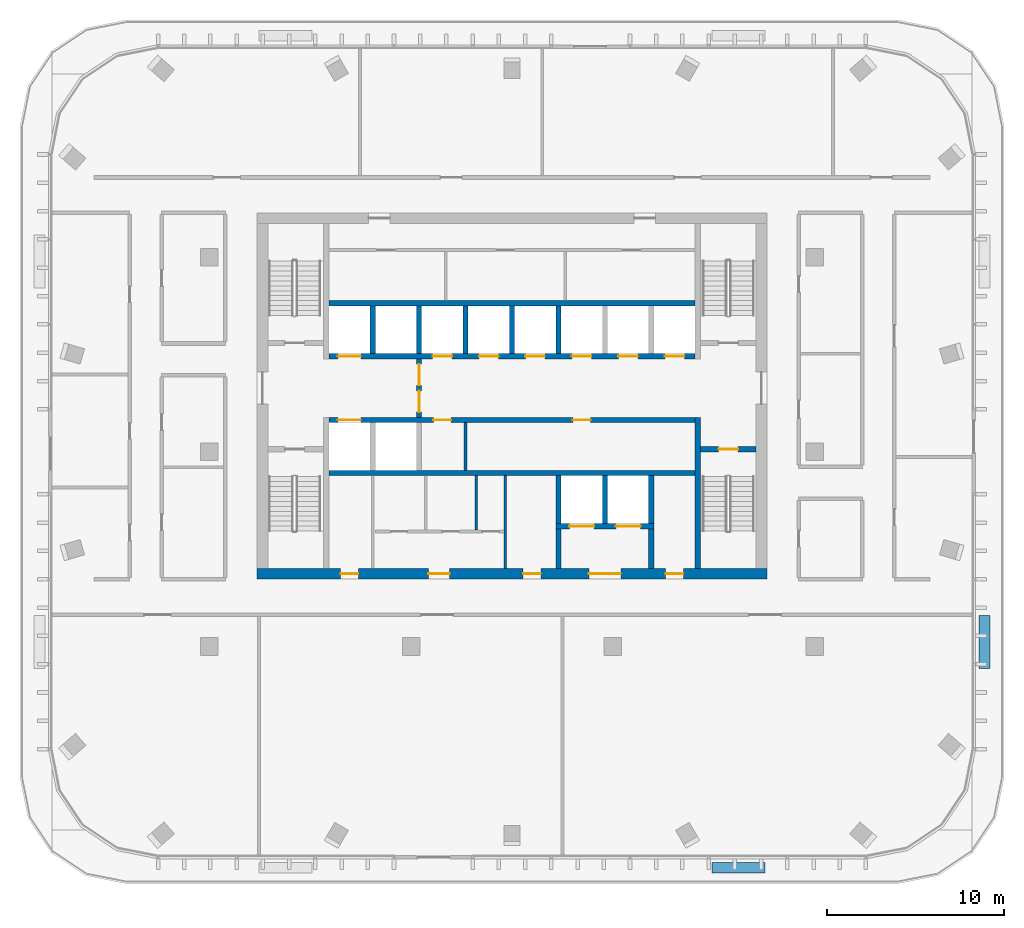
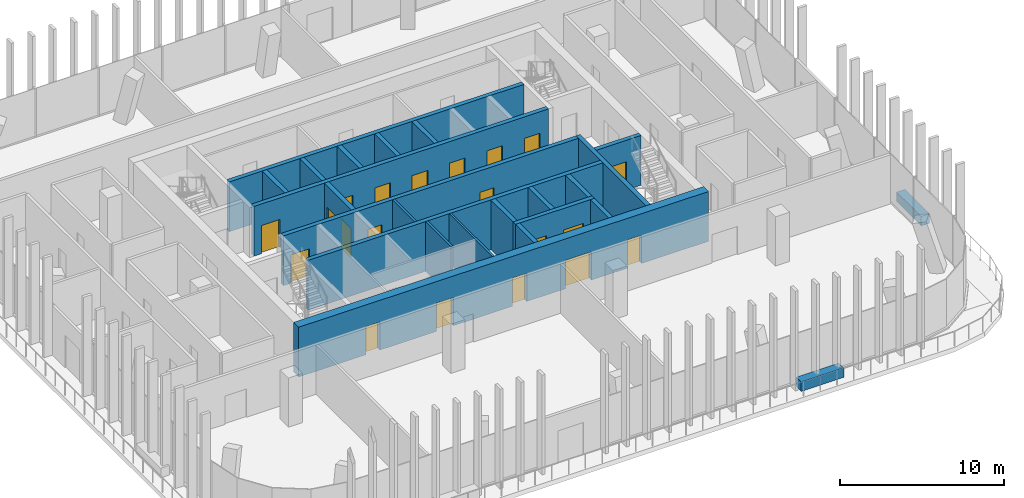
# One storey, part 8 of 15: 24 walls, 20 doors, 20 openings.
"""IFC4 building model written with IfcOpenShell, lengths in metres."""

from ifc_helpers import new_model, si_unit, direction, frame, frame_2d, origin, place, context, subcontext, project, spatial, rectangle, extrude, material, layer, layer_set, type_object, element, fill, save


model = new_model("IFC4")

# Units and contexts
model_context = context("Model", 3, precision=1e-05, world=origin(), true_north=direction((0.0, 1.0)))
body_context = subcontext(model_context, "Body", "Model", "MODEL_VIEW")
ifc_project = project(units=[si_unit("LENGTHUNIT", "METRE"), si_unit("AREAUNIT", "SQUARE_METRE"), si_unit("VOLUMEUNIT", "CUBIC_METRE"), si_unit("PLANEANGLEUNIT", "RADIAN"), si_unit("MASSUNIT", "GRAM", prefix="KILO")], contexts=[model_context])

# Site, building, storey
site_placement = place(None, origin())
site = spatial("IfcSite", under=ifc_project, at=site_placement, CompositionType="ELEMENT")
building_placement = place(site_placement, origin())
building = spatial("IfcBuilding", under=site, at=building_placement, Name="Mopane Tessera Tower", CompositionType="ELEMENT")
storey_placement = place(building_placement, frame((0.0, 0.0, 329.39990234375)))
storey = spatial("IfcBuildingStorey", under=building, at=storey_placement, Name="L72", CompositionType="ELEMENT", Elevation=329.39990234375)

# Walls
ifc_material_1 = material(Name="Fire-rated gypsum board partition")
ifc_layer_1 = layer(ifc_material_1, 0.14990234375)
ifc_layer_set_1 = layer_set([ifc_layer_1], Name="Fire-rated gypsum board partition")
wall_type_1 = type_object("IfcWallType", Name="Core room partition 150 mm", PredefinedType="PARTITIONING", material=ifc_layer_set_1)
wall_1_placement = place(storey_placement, frame((-2.02490234375, -4.425048828125, 0.0), z_axis=(0.0, 0.0, 1.0), x_axis=(0.0, 1.0, 0.0)))
element("IfcWall", 1, at=wall_1_placement, inside=storey, type_object=wall_type_1, Name="L72 WC partition", PredefinedType="PARTITIONING", context=body_context, shape_type="SweptSolid", body=[
    extrude(rectangle(XDim=3.074951171875, YDim=0.14990234375, at=frame_2d((1.53759765625, 0.0))), origin(), (0.0, 0.0, 1.0), 3.7001953125),
])
wall_2_placement = place(storey_placement, frame((-0.375, -6.60009765625, 0.0), z_axis=(0.0, 0.0, 1.0), x_axis=(0.0, 1.0, 0.0)))
element("IfcWall", 2, at=wall_2_placement, inside=storey, type_object=wall_type_1, Name="L72 Room partition", PredefinedType="PARTITIONING", context=body_context, shape_type="SweptSolid", body=[
    extrude(rectangle(XDim=5.25, YDim=0.14990234375, at=frame_2d((2.625, 0.0))), origin(), (0.0, 0.0, 1.0), 3.7001953125),
])
wall_3_placement = place(storey_placement, frame((-2.625, -1.050048828125, 0.0), z_axis=(0.0, 0.0, 1.0), x_axis=(0.0, 1.0, 0.0)))
element("IfcWall", 3, at=wall_3_placement, inside=storey, type_object=wall_type_1, Name="L72 Room partition", PredefinedType="PARTITIONING", context=body_context, shape_type="SweptSolid", body=[
    extrude(rectangle(XDim=2.699951171875, YDim=0.14990234375, at=frame_2d((1.35009765625, 0.0))), origin(), (0.0, 0.0, 1.0), 3.7001953125),
])

# Wall, openings, doors
ifc_material_2 = material(Name="Concrete C70/85", Category="concrete")
ifc_layer_2 = layer(ifc_material_2, 0.60009765625)
ifc_layer_set_2 = layer_set([ifc_layer_2], Name="Concrete C70/85")
wall_type_2 = type_object("IfcWallType", Name="Core shear wall 600 mm", PredefinedType="SHEAR", material=ifc_layer_set_2)
wall_4_placement = place(storey_placement, frame((-14.39990234375, -6.89990234375, 0.0), z_axis=(0.0, 0.0, 1.0), x_axis=(1.0, 0.0, 0.0)))
wall_4 = element("IfcWall", 4, at=wall_4_placement, inside=storey, type_object=wall_type_2, Name="L72 Core wall south", PredefinedType="SHEAR", context=body_context, shape_type="SweptSolid", body=[
    extrude(rectangle(XDim=28.7998046875, YDim=0.60009765625, at=frame_2d((14.39990234375, 0.0))), origin(), (0.0, 0.0, 1.0), 3.7001953125),
])
opening_1_placement = place(wall_4_placement, frame((4.71240234375, 0.0, 0.0)))
opening_1 = element("IfcOpeningElement", 5, at=opening_1_placement, cuts=wall_4, Name="Opening RD1", PredefinedType="OPENING", context=body_context, shape_type="SweptSolid", body=[
    extrude(rectangle(XDim=1.0, YDim=2.10009765625, at=frame_2d((0.5, 1.050048828125))), frame((0.0, 0.31201171875, 0.0), z_axis=(0.0, -1.0, 0.0), x_axis=(1.0, 0.0, 0.0)), (0.0, 0.0, 1.0), 0.6240234375),
])
opening_2_placement = place(wall_4_placement, frame((9.675048828125, 0.0, 0.0)))
opening_2 = element("IfcOpeningElement", 6, at=opening_2_placement, cuts=wall_4, Name="Opening WD3", PredefinedType="OPENING", context=body_context, shape_type="SweptSolid", body=[
    extrude(rectangle(XDim=1.199951171875, YDim=2.10009765625, at=frame_2d((0.60009765625, 1.050048828125))), frame((0.0, 0.31201171875, 0.0), z_axis=(0.0, -1.0, 0.0), x_axis=(1.0, 0.0, 0.0)), (0.0, 0.0, 1.0), 0.6240234375),
])
opening_3_placement = place(wall_4_placement, frame((15.02490234375, 0.0, 0.0)))
opening_3 = element("IfcOpeningElement", 7, at=opening_3_placement, cuts=wall_4, Name="Opening RD1", PredefinedType="OPENING", context=body_context, shape_type="SweptSolid", body=[
    extrude(rectangle(XDim=1.0, YDim=2.10009765625, at=frame_2d((0.5, 1.050048828125))), frame((0.0, 0.31201171875, 0.0), z_axis=(0.0, -1.0, 0.0), x_axis=(1.0, 0.0, 0.0)), (0.0, 0.0, 1.0), 0.6240234375),
])
opening_4_placement = place(wall_4_placement, frame((18.75, 0.0, 0.0)))
opening_4 = element("IfcOpeningElement", 8, at=opening_4_placement, cuts=wall_4, Name="Opening SD2", PredefinedType="OPENING", context=body_context, shape_type="SweptSolid", body=[
    extrude(rectangle(XDim=1.800048828125, YDim=2.10009765625, at=frame_2d((0.89990234375, 1.050048828125))), frame((0.0, 0.31201171875, 0.0), z_axis=(0.0, -1.0, 0.0), x_axis=(1.0, 0.0, 0.0)), (0.0, 0.0, 1.0), 0.6240234375),
])
opening_5_placement = place(wall_4_placement, frame((23.08740234375, 0.0, 0.0)))
opening_5 = element("IfcOpeningElement", 9, at=opening_5_placement, cuts=wall_4, Name="Opening RD1", PredefinedType="OPENING", context=body_context, shape_type="SweptSolid", body=[
    extrude(rectangle(XDim=1.0, YDim=2.10009765625, at=frame_2d((0.5, 1.050048828125))), frame((0.0, 0.31201171875, 0.0), z_axis=(0.0, -1.0, 0.0), x_axis=(1.0, 0.0, 0.0)), (0.0, 0.0, 1.0), 0.6240234375),
])
ifc_material_3 = material(Name="Steel fire door", Category="steel")
door_type_1 = type_object("IfcDoorType", Name="Core entrance double door 1800 x 2100", OperationType="DOUBLE_DOOR_SINGLE_SWING", PredefinedType="DOOR", material=ifc_material_3)
door_1_placement = place(opening_4_placement, origin())
door_1 = element("IfcDoor", 10, at=door_1_placement, inside=storey, type_object=door_type_1, Name="L72 Service lobby door", OperationType="DOUBLE_DOOR_SINGLE_SWING", OverallHeight=2.10009765625, OverallWidth=1.800048828125, PredefinedType="DOOR", context=body_context, shape_type="SweptSolid", body=[
    extrude(rectangle(XDim=1.800048828125, YDim=2.10009765625, at=frame_2d((0.89990234375, 1.050048828125))), frame((0.0, 0.02490234375, 0.0), z_axis=(0.0, -1.0, 0.0), x_axis=(1.0, 0.0, 0.0)), (0.0, 0.0, 1.0), 0.050048828125),
])
fill(opening_4, door_1)
ifc_material_4 = material(Name="Timber door", Category="wood")
door_type_2 = type_object("IfcDoorType", Name="Core room door 1000 x 2100", OperationType="SINGLE_SWING_LEFT", PredefinedType="DOOR", material=ifc_material_4)
door_2_placement = place(opening_1_placement, origin())
door_2 = element("IfcDoor", 11, at=door_2_placement, inside=storey, type_object=door_type_2, Name="L72 Room door", OperationType="SINGLE_SWING_LEFT", OverallHeight=2.10009765625, OverallWidth=1.0, PredefinedType="DOOR", context=body_context, shape_type="SweptSolid", body=[
    extrude(rectangle(XDim=1.0, YDim=2.10009765625, at=frame_2d((0.5, 1.050048828125))), frame((0.0, 0.02490234375, 0.0), z_axis=(0.0, -1.0, 0.0), x_axis=(1.0, 0.0, 0.0)), (0.0, 0.0, 1.0), 0.050048828125),
])
fill(opening_1, door_2)
door_3_placement = place(opening_3_placement, origin())
door_3 = element("IfcDoor", 12, at=door_3_placement, inside=storey, type_object=door_type_2, Name="L72 Room door", OperationType="SINGLE_SWING_LEFT", OverallHeight=2.10009765625, OverallWidth=1.0, PredefinedType="DOOR", context=body_context, shape_type="SweptSolid", body=[
    extrude(rectangle(XDim=1.0, YDim=2.10009765625, at=frame_2d((0.5, 1.050048828125))), frame((0.0, 0.02490234375, 0.0), z_axis=(0.0, -1.0, 0.0), x_axis=(1.0, 0.0, 0.0)), (0.0, 0.0, 1.0), 0.050048828125),
])
fill(opening_3, door_3)
door_4_placement = place(opening_5_placement, origin())
door_4 = element("IfcDoor", 13, at=door_4_placement, inside=storey, type_object=door_type_2, Name="L72 Room door", OperationType="SINGLE_SWING_LEFT", OverallHeight=2.10009765625, OverallWidth=1.0, PredefinedType="DOOR", context=body_context, shape_type="SweptSolid", body=[
    extrude(rectangle(XDim=1.0, YDim=2.10009765625, at=frame_2d((0.5, 1.050048828125))), frame((0.0, 0.02490234375, 0.0), z_axis=(0.0, -1.0, 0.0), x_axis=(1.0, 0.0, 0.0)), (0.0, 0.0, 1.0), 0.050048828125),
])
fill(opening_5, door_4)
ifc_material_5 = material(Name="Timber door", Category="wood")
door_type_3 = type_object("IfcDoorType", Name="WC lobby door 1200 x 2100", OperationType="SINGLE_SWING_LEFT", PredefinedType="DOOR", material=ifc_material_5)
door_5_placement = place(opening_2_placement, origin())
door_5 = element("IfcDoor", 14, at=door_5_placement, inside=storey, type_object=door_type_3, Name="L72 WC lobby door", OperationType="SINGLE_SWING_LEFT", OverallHeight=2.10009765625, OverallWidth=1.199951171875, PredefinedType="DOOR", context=body_context, shape_type="SweptSolid", body=[
    extrude(rectangle(XDim=1.199951171875, YDim=2.10009765625, at=frame_2d((0.60009765625, 1.050048828125))), frame((0.0, 0.02490234375, 0.0), z_axis=(0.0, -1.0, 0.0), x_axis=(1.0, 0.0, 0.0)), (0.0, 0.0, 1.0), 0.050048828125),
])
fill(opening_2, door_5)

# Wall
ifc_material_6 = material(Name="Concrete C60/75", Category="concrete")
ifc_layer_3 = layer(ifc_material_6, 0.300048828125)
ifc_layer_set_3 = layer_set([ifc_layer_3], Name="Concrete C60/75")
wall_type_3 = type_object("IfcWallType", Name="Core spine wall 300 mm", PredefinedType="SHEAR", material=ifc_layer_set_3)
wall_5_placement = place(storey_placement, frame((10.5, -6.60009765625, 0.0), z_axis=(0.0, 0.0, 1.0), x_axis=(0.0, 1.0, 0.0)))
element("IfcWall", 15, at=wall_5_placement, inside=storey, type_object=wall_type_3, Name="L72 Core spine wall", PredefinedType="SHEAR", context=body_context, shape_type="SweptSolid", body=[
    extrude(rectangle(XDim=8.550048828125, YDim=0.300048828125, at=frame_2d((4.27490234375, 0.0))), origin(), (0.0, 0.0, 1.0), 3.7001953125),
])

# Wall, opening, door
ifc_material_7 = material(Name="Concrete C50/60", Category="concrete")
ifc_layer_4 = layer(ifc_material_7, 0.300048828125)
ifc_layer_set_4 = layer_set([ifc_layer_4], Name="Concrete C50/60")
wall_type_4 = type_object("IfcWallType", Name="Lift and stair shaft wall 300 mm", PredefinedType="SOLIDWALL", material=ifc_layer_set_4)
wall_6_placement = place(storey_placement, frame((10.64990234375, 0.14990234375, 0.0), z_axis=(0.0, 0.0, 1.0), x_axis=(1.0, 0.0, 0.0)))
wall_6 = element("IfcWall", 16, at=wall_6_placement, inside=storey, type_object=wall_type_4, Name="L72 Stair enclosure wall", PredefinedType="SOLIDWALL", context=body_context, shape_type="SweptSolid", body=[
    extrude(rectangle(XDim=3.150146484375, YDim=0.300048828125, at=frame_2d((1.5751953125, 0.0))), origin(), (0.0, 0.0, 1.0), 3.7001953125),
])
opening_6_placement = place(wall_6_placement, frame((1.02490234375, 0.0, 0.0)))
opening_6 = element("IfcOpeningElement", 17, at=opening_6_placement, cuts=wall_6, Name="Opening SD1", PredefinedType="OPENING", context=body_context, shape_type="SweptSolid", body=[
    extrude(rectangle(XDim=1.10009765625, YDim=2.10009765625, at=frame_2d((0.550048828125, 1.050048828125))), frame((0.0, 0.162109375, 0.0), z_axis=(0.0, -1.0, 0.0), x_axis=(1.0, 0.0, 0.0)), (0.0, 0.0, 1.0), 0.323974609375),
])
ifc_material_8 = material(Name="Steel fire door", Category="steel")
door_type_4 = type_object("IfcDoorType", Name="Stair fire door 1100 x 2100", OperationType="SINGLE_SWING_LEFT", PredefinedType="DOOR", material=ifc_material_8)
door_6_placement = place(opening_6_placement, origin())
door_6 = element("IfcDoor", 18, at=door_6_placement, inside=storey, type_object=door_type_4, Name="L72 Stair door ST3", OperationType="SINGLE_SWING_RIGHT", OverallHeight=2.10009765625, OverallWidth=1.10009765625, PredefinedType="DOOR", context=body_context, shape_type="SweptSolid", body=[
    extrude(rectangle(XDim=1.10009765625, YDim=2.10009765625, at=frame_2d((0.550048828125, 1.050048828125))), frame((0.0, 0.02490234375, 0.0), z_axis=(0.0, -1.0, 0.0), x_axis=(1.0, 0.0, 0.0)), (0.0, 0.0, 1.0), 0.050048828125),
])
fill(opening_6, door_6)

# Wall
wall_7_placement = place(storey_placement, frame((-10.35009765625, -1.199951171875, 0.0), z_axis=(0.0, 0.0, 1.0), x_axis=(1.0, 0.0, 0.0)))
element("IfcWall", 19, at=wall_7_placement, inside=storey, type_object=wall_type_4, Name="L72 Lift shaft rear wall", PredefinedType="SOLIDWALL", context=body_context, shape_type="SweptSolid", body=[
    extrude(rectangle(XDim=20.7001953125, YDim=0.300048828125, at=frame_2d((10.35009765625, 0.0))), origin(), (0.0, 0.0, 1.0), 3.7001953125),
])

# Wall, openings, doors
wall_8_placement = place(storey_placement, frame((-10.35009765625, 1.800048828125, 0.0), z_axis=(0.0, 0.0, 1.0), x_axis=(1.0, 0.0, 0.0)))
wall_8 = element("IfcWall", 20, at=wall_8_placement, inside=storey, type_object=wall_type_4, Name="L72 Lift shaft front wall", PredefinedType="SOLIDWALL", context=body_context, shape_type="SweptSolid", body=[
    extrude(rectangle(XDim=20.7001953125, YDim=0.300048828125, at=frame_2d((10.35009765625, 0.0))), origin(), (0.0, 0.0, 1.0), 3.7001953125),
])
opening_7_placement = place(wall_8_placement, frame((0.512451171875, 0.0, 0.0)))
opening_7 = element("IfcOpeningElement", 21, at=opening_7_placement, cuts=wall_8, Name="Opening LD2", PredefinedType="OPENING", context=body_context, shape_type="SweptSolid", body=[
    extrude(rectangle(XDim=1.300048828125, YDim=2.10009765625, at=frame_2d((0.64990234375, 1.050048828125))), frame((0.0, 0.162109375, 0.0), z_axis=(0.0, -1.0, 0.0), x_axis=(1.0, 0.0, 0.0)), (0.0, 0.0, 1.0), 0.323974609375),
])
opening_8_placement = place(wall_8_placement, frame((5.91259765625, 0.0, 0.0)))
opening_8 = element("IfcOpeningElement", 22, at=opening_8_placement, cuts=wall_8, Name="Opening RD1", PredefinedType="OPENING", context=body_context, shape_type="SweptSolid", body=[
    extrude(rectangle(XDim=1.0, YDim=2.10009765625, at=frame_2d((0.5, 1.050048828125))), frame((0.0, 0.162109375, 0.0), z_axis=(0.0, -1.0, 0.0), x_axis=(1.0, 0.0, 0.0)), (0.0, 0.0, 1.0), 0.323974609375),
])
opening_9_placement = place(wall_8_placement, frame((13.78759765625, 0.0, 0.0)))
opening_9 = element("IfcOpeningElement", 23, at=opening_9_placement, cuts=wall_8, Name="Opening RD1", PredefinedType="OPENING", context=body_context, shape_type="SweptSolid", body=[
    extrude(rectangle(XDim=1.0, YDim=2.10009765625, at=frame_2d((0.5, 1.050048828125))), frame((0.0, 0.162109375, 0.0), z_axis=(0.0, -1.0, 0.0), x_axis=(1.0, 0.0, 0.0)), (0.0, 0.0, 1.0), 0.323974609375),
])
door_7_placement = place(opening_8_placement, origin())
door_7 = element("IfcDoor", 24, at=door_7_placement, inside=storey, type_object=door_type_2, Name="L72 Room door", OperationType="SINGLE_SWING_LEFT", OverallHeight=2.10009765625, OverallWidth=1.0, PredefinedType="DOOR", context=body_context, shape_type="SweptSolid", body=[
    extrude(rectangle(XDim=1.0, YDim=2.10009765625, at=frame_2d((0.5, 1.050048828125))), frame((0.0, 0.02490234375, 0.0), z_axis=(0.0, -1.0, 0.0), x_axis=(1.0, 0.0, 0.0)), (0.0, 0.0, 1.0), 0.050048828125),
])
fill(opening_8, door_7)
door_8_placement = place(opening_9_placement, origin())
door_8 = element("IfcDoor", 25, at=door_8_placement, inside=storey, type_object=door_type_2, Name="L72 Room door", OperationType="SINGLE_SWING_LEFT", OverallHeight=2.10009765625, OverallWidth=1.0, PredefinedType="DOOR", context=body_context, shape_type="SweptSolid", body=[
    extrude(rectangle(XDim=1.0, YDim=2.10009765625, at=frame_2d((0.5, 1.050048828125))), frame((0.0, 0.02490234375, 0.0), z_axis=(0.0, -1.0, 0.0), x_axis=(1.0, 0.0, 0.0)), (0.0, 0.0, 1.0), 0.050048828125),
])
fill(opening_9, door_8)
ifc_material_9 = material(Name="Stainless steel sliding door", Category="steel")
door_type_5 = type_object("IfcDoorType", Name="Fire-fighting lift landing door 1300 x 2100", OperationType="DOUBLE_DOOR_SLIDING", PredefinedType="DOOR", material=ifc_material_9)
door_9_placement = place(opening_7_placement, origin())
door_9 = element("IfcDoor", 26, at=door_9_placement, inside=storey, type_object=door_type_5, Name="L72 Lift landing door FF1", OperationType="DOUBLE_DOOR_SLIDING", OverallHeight=2.10009765625, OverallWidth=1.300048828125, PredefinedType="DOOR", context=body_context, shape_type="SweptSolid", body=[
    extrude(rectangle(XDim=1.300048828125, YDim=2.10009765625, at=frame_2d((0.64990234375, 1.050048828125))), frame((0.0, 0.02490234375, 0.0), z_axis=(0.0, -1.0, 0.0), x_axis=(1.0, 0.0, 0.0)), (0.0, 0.0, 1.0), 0.050048828125),
])
fill(opening_7, door_9)

wall_9_placement = place(storey_placement, frame((-10.35009765625, 5.39990234375, 0.0), z_axis=(0.0, 0.0, 1.0), x_axis=(1.0, 0.0, 0.0)))
wall_9 = element("IfcWall", 27, at=wall_9_placement, inside=storey, type_object=wall_type_4, Name="L72 Lift shaft front wall", PredefinedType="SOLIDWALL", context=body_context, shape_type="SweptSolid", body=[
    extrude(rectangle(XDim=20.7001953125, YDim=0.300048828125, at=frame_2d((10.35009765625, 0.0))), origin(), (0.0, 0.0, 1.0), 3.7001953125),
])
opening_10_placement = place(wall_9_placement, frame((0.512451171875, 0.0, 0.0)))
opening_10 = element("IfcOpeningElement", 28, at=opening_10_placement, cuts=wall_9, Name="Opening LD2", PredefinedType="OPENING", context=body_context, shape_type="SweptSolid", body=[
    extrude(rectangle(XDim=1.300048828125, YDim=2.10009765625, at=frame_2d((0.64990234375, 1.050048828125))), frame((0.0, 0.162109375, 0.0), z_axis=(0.0, -1.0, 0.0), x_axis=(1.0, 0.0, 0.0)), (0.0, 0.0, 1.0), 0.323974609375),
])
opening_11_placement = place(wall_9_placement, frame((5.862548828125, 0.0, 0.0)))
opening_11 = element("IfcOpeningElement", 29, at=opening_11_placement, cuts=wall_9, Name="Opening LD", PredefinedType="OPENING", context=body_context, shape_type="SweptSolid", body=[
    extrude(rectangle(XDim=1.10009765625, YDim=2.10009765625, at=frame_2d((0.550048828125, 1.050048828125))), frame((0.0, 0.162109375, 0.0), z_axis=(0.0, -1.0, 0.0), x_axis=(1.0, 0.0, 0.0)), (0.0, 0.0, 1.0), 0.323974609375),
])
opening_12_placement = place(wall_9_placement, frame((8.487548828125, 0.0, 0.0)))
opening_12 = element("IfcOpeningElement", 30, at=opening_12_placement, cuts=wall_9, Name="Opening LD", PredefinedType="OPENING", context=body_context, shape_type="SweptSolid", body=[
    extrude(rectangle(XDim=1.10009765625, YDim=2.10009765625, at=frame_2d((0.550048828125, 1.050048828125))), frame((0.0, 0.162109375, 0.0), z_axis=(0.0, -1.0, 0.0), x_axis=(1.0, 0.0, 0.0)), (0.0, 0.0, 1.0), 0.323974609375),
])
opening_13_placement = place(wall_9_placement, frame((11.112548828125, 0.0, 0.0)))
opening_13 = element("IfcOpeningElement", 31, at=opening_13_placement, cuts=wall_9, Name="Opening LD", PredefinedType="OPENING", context=body_context, shape_type="SweptSolid", body=[
    extrude(rectangle(XDim=1.10009765625, YDim=2.10009765625, at=frame_2d((0.550048828125, 1.050048828125))), frame((0.0, 0.162109375, 0.0), z_axis=(0.0, -1.0, 0.0), x_axis=(1.0, 0.0, 0.0)), (0.0, 0.0, 1.0), 0.323974609375),
])
opening_14_placement = place(wall_9_placement, frame((13.737548828125, 0.0, 0.0)))
opening_14 = element("IfcOpeningElement", 32, at=opening_14_placement, cuts=wall_9, Name="Opening LD", PredefinedType="OPENING", context=body_context, shape_type="SweptSolid", body=[
    extrude(rectangle(XDim=1.10009765625, YDim=2.10009765625, at=frame_2d((0.550048828125, 1.050048828125))), frame((0.0, 0.162109375, 0.0), z_axis=(0.0, -1.0, 0.0), x_axis=(1.0, 0.0, 0.0)), (0.0, 0.0, 1.0), 0.323974609375),
])
opening_15_placement = place(wall_9_placement, frame((16.362548828125, 0.0, 0.0)))
opening_15 = element("IfcOpeningElement", 33, at=opening_15_placement, cuts=wall_9, Name="Opening LD", PredefinedType="OPENING", context=body_context, shape_type="SweptSolid", body=[
    extrude(rectangle(XDim=1.10009765625, YDim=2.10009765625, at=frame_2d((0.550048828125, 1.050048828125))), frame((0.0, 0.162109375, 0.0), z_axis=(0.0, -1.0, 0.0), x_axis=(1.0, 0.0, 0.0)), (0.0, 0.0, 1.0), 0.323974609375),
])
opening_16_placement = place(wall_9_placement, frame((18.987548828125, 0.0, 0.0)))
opening_16 = element("IfcOpeningElement", 34, at=opening_16_placement, cuts=wall_9, Name="Opening LD", PredefinedType="OPENING", context=body_context, shape_type="SweptSolid", body=[
    extrude(rectangle(XDim=1.10009765625, YDim=2.10009765625, at=frame_2d((0.550048828125, 1.050048828125))), frame((0.0, 0.162109375, 0.0), z_axis=(0.0, -1.0, 0.0), x_axis=(1.0, 0.0, 0.0)), (0.0, 0.0, 1.0), 0.323974609375),
])
door_10_placement = place(opening_10_placement, origin())
door_10 = element("IfcDoor", 35, at=door_10_placement, inside=storey, type_object=door_type_5, Name="L72 Lift landing door FF2", OperationType="DOUBLE_DOOR_SLIDING", OverallHeight=2.10009765625, OverallWidth=1.300048828125, PredefinedType="DOOR", context=body_context, shape_type="SweptSolid", body=[
    extrude(rectangle(XDim=1.300048828125, YDim=2.10009765625, at=frame_2d((0.64990234375, 1.050048828125))), frame((0.0, 0.02490234375, 0.0), z_axis=(0.0, -1.0, 0.0), x_axis=(1.0, 0.0, 0.0)), (0.0, 0.0, 1.0), 0.050048828125),
])
fill(opening_10, door_10)
ifc_material_10 = material(Name="Stainless steel sliding door", Category="steel")
door_type_6 = type_object("IfcDoorType", Name="Lift landing door 1100 x 2100", OperationType="DOUBLE_DOOR_SLIDING", PredefinedType="DOOR", material=ifc_material_10)
door_11_placement = place(opening_11_placement, origin())
door_11 = element("IfcDoor", 36, at=door_11_placement, inside=storey, type_object=door_type_6, Name="L72 Lift landing door HR1", OperationType="DOUBLE_DOOR_SLIDING", OverallHeight=2.10009765625, OverallWidth=1.10009765625, PredefinedType="DOOR", context=body_context, shape_type="SweptSolid", body=[
    extrude(rectangle(XDim=1.10009765625, YDim=2.10009765625, at=frame_2d((0.550048828125, 1.050048828125))), frame((0.0, 0.02490234375, 0.0), z_axis=(0.0, -1.0, 0.0), x_axis=(1.0, 0.0, 0.0)), (0.0, 0.0, 1.0), 0.050048828125),
])
fill(opening_11, door_11)
door_12_placement = place(opening_12_placement, origin())
door_12 = element("IfcDoor", 37, at=door_12_placement, inside=storey, type_object=door_type_6, Name="L72 Lift landing door HR2", OperationType="DOUBLE_DOOR_SLIDING", OverallHeight=2.10009765625, OverallWidth=1.10009765625, PredefinedType="DOOR", context=body_context, shape_type="SweptSolid", body=[
    extrude(rectangle(XDim=1.10009765625, YDim=2.10009765625, at=frame_2d((0.550048828125, 1.050048828125))), frame((0.0, 0.02490234375, 0.0), z_axis=(0.0, -1.0, 0.0), x_axis=(1.0, 0.0, 0.0)), (0.0, 0.0, 1.0), 0.050048828125),
])
fill(opening_12, door_12)
door_13_placement = place(opening_13_placement, origin())
door_13 = element("IfcDoor", 38, at=door_13_placement, inside=storey, type_object=door_type_6, Name="L72 Lift landing door HR3", OperationType="DOUBLE_DOOR_SLIDING", OverallHeight=2.10009765625, OverallWidth=1.10009765625, PredefinedType="DOOR", context=body_context, shape_type="SweptSolid", body=[
    extrude(rectangle(XDim=1.10009765625, YDim=2.10009765625, at=frame_2d((0.550048828125, 1.050048828125))), frame((0.0, 0.02490234375, 0.0), z_axis=(0.0, -1.0, 0.0), x_axis=(1.0, 0.0, 0.0)), (0.0, 0.0, 1.0), 0.050048828125),
])
fill(opening_13, door_13)
door_14_placement = place(opening_14_placement, origin())
door_14 = element("IfcDoor", 39, at=door_14_placement, inside=storey, type_object=door_type_6, Name="L72 Lift landing door HR4", OperationType="DOUBLE_DOOR_SLIDING", OverallHeight=2.10009765625, OverallWidth=1.10009765625, PredefinedType="DOOR", context=body_context, shape_type="SweptSolid", body=[
    extrude(rectangle(XDim=1.10009765625, YDim=2.10009765625, at=frame_2d((0.550048828125, 1.050048828125))), frame((0.0, 0.02490234375, 0.0), z_axis=(0.0, -1.0, 0.0), x_axis=(1.0, 0.0, 0.0)), (0.0, 0.0, 1.0), 0.050048828125),
])
fill(opening_14, door_14)
door_15_placement = place(opening_15_placement, origin())
door_15 = element("IfcDoor", 40, at=door_15_placement, inside=storey, type_object=door_type_6, Name="L72 Lift landing door HR5", OperationType="DOUBLE_DOOR_SLIDING", OverallHeight=2.10009765625, OverallWidth=1.10009765625, PredefinedType="DOOR", context=body_context, shape_type="SweptSolid", body=[
    extrude(rectangle(XDim=1.10009765625, YDim=2.10009765625, at=frame_2d((0.550048828125, 1.050048828125))), frame((0.0, 0.02490234375, 0.0), z_axis=(0.0, -1.0, 0.0), x_axis=(1.0, 0.0, 0.0)), (0.0, 0.0, 1.0), 0.050048828125),
])
fill(opening_15, door_15)
door_16_placement = place(opening_16_placement, origin())
door_16 = element("IfcDoor", 41, at=door_16_placement, inside=storey, type_object=door_type_6, Name="L72 Lift landing door HR6", OperationType="DOUBLE_DOOR_SLIDING", OverallHeight=2.10009765625, OverallWidth=1.10009765625, PredefinedType="DOOR", context=body_context, shape_type="SweptSolid", body=[
    extrude(rectangle(XDim=1.10009765625, YDim=2.10009765625, at=frame_2d((0.550048828125, 1.050048828125))), frame((0.0, 0.02490234375, 0.0), z_axis=(0.0, -1.0, 0.0), x_axis=(1.0, 0.0, 0.0)), (0.0, 0.0, 1.0), 0.050048828125),
])
fill(opening_16, door_16)

# Walls
wall_10_placement = place(storey_placement, frame((-10.35009765625, 8.39990234375, 0.0), z_axis=(0.0, 0.0, 1.0), x_axis=(1.0, 0.0, 0.0)))
element("IfcWall", 42, at=wall_10_placement, inside=storey, type_object=wall_type_4, Name="L72 Lift shaft rear wall", PredefinedType="SOLIDWALL", context=body_context, shape_type="SweptSolid", body=[
    extrude(rectangle(XDim=20.7001953125, YDim=0.300048828125, at=frame_2d((10.35009765625, 0.0))), origin(), (0.0, 0.0, 1.0), 3.7001953125),
])
for number, where, z_axis, x_axis, name in (
    (43, (-7.875, 5.550048828125, 0.0), (0.0, 0.0, 1.0), (0.0, 1.0, 0.0), "L72 Lift shaft wall"),
    (44, (-5.25, 5.550048828125, 0.0), (0.0, 0.0, 1.0), (0.0, 1.0, 0.0), "L72 Lift shaft wall"),
    (45, (-2.625, 5.550048828125, 0.0), (0.0, 0.0, 1.0), (0.0, 1.0, 0.0), "L72 Lift shaft wall"),
    (46, (0.0, 5.550048828125, 0.0), (0.0, 0.0, 1.0), (0.0, 1.0, 0.0), "L72 Lift shaft wall"),
    (47, (2.625, 5.550048828125, 0.0), (0.0, 0.0, 1.0), (0.0, 1.0, 0.0), "L72 Lift shaft wall"),
):
    element("IfcWall", number, at=place(storey_placement, frame(where, z_axis=z_axis, x_axis=x_axis)), inside=storey, type_object=wall_type_4, Name=name, PredefinedType="SOLIDWALL", context=body_context, shape_type="SweptSolid", body=[
        extrude(rectangle(XDim=2.699951171875, YDim=0.300048828125, at=frame_2d((1.35009765625, 0.0))), origin(), (0.0, 0.0, 1.0), 3.7001953125),
    ])

# Wall, openings, doors
wall_11_placement = place(storey_placement, frame((2.47509765625, -4.199951171875, 0.0), z_axis=(0.0, 0.0, 1.0), x_axis=(1.0, 0.0, 0.0)))
wall_11 = element("IfcWall", 48, at=wall_11_placement, inside=storey, type_object=wall_type_4, Name="L72 Lift shaft front wall", PredefinedType="SOLIDWALL", context=body_context, shape_type="SweptSolid", body=[
    extrude(rectangle(XDim=5.5498046875, YDim=0.300048828125, at=frame_2d((2.77490234375, 0.0))), origin(), (0.0, 0.0, 1.0), 3.7001953125),
])
opening_17_placement = place(wall_11_placement, frame((0.762451171875, 0.0, 0.0)))
opening_17 = element("IfcOpeningElement", 49, at=opening_17_placement, cuts=wall_11, Name="Opening LD3", PredefinedType="OPENING", context=body_context, shape_type="SweptSolid", body=[
    extrude(rectangle(XDim=1.39990234375, YDim=2.10009765625, at=frame_2d((0.699951171875, 1.050048828125))), frame((0.0, 0.162109375, 0.0), z_axis=(0.0, -1.0, 0.0), x_axis=(1.0, 0.0, 0.0)), (0.0, 0.0, 1.0), 0.323974609375),
])
opening_18_placement = place(wall_11_placement, frame((3.387451171875, 0.0, 0.0)))
opening_18 = element("IfcOpeningElement", 50, at=opening_18_placement, cuts=wall_11, Name="Opening LD3", PredefinedType="OPENING", context=body_context, shape_type="SweptSolid", body=[
    extrude(rectangle(XDim=1.39990234375, YDim=2.10009765625, at=frame_2d((0.699951171875, 1.050048828125))), frame((0.0, 0.162109375, 0.0), z_axis=(0.0, -1.0, 0.0), x_axis=(1.0, 0.0, 0.0)), (0.0, 0.0, 1.0), 0.323974609375),
])
ifc_material_11 = material(Name="Stainless steel sliding door", Category="steel")
door_type_7 = type_object("IfcDoorType", Name="Service lift landing door 1400 x 2100", OperationType="DOUBLE_DOOR_SLIDING", PredefinedType="DOOR", material=ifc_material_11)
door_17_placement = place(opening_17_placement, origin())
door_17 = element("IfcDoor", 51, at=door_17_placement, inside=storey, type_object=door_type_7, Name="L72 Lift landing door SV1", OperationType="DOUBLE_DOOR_SLIDING", OverallHeight=2.10009765625, OverallWidth=1.39990234375, PredefinedType="DOOR", context=body_context, shape_type="SweptSolid", body=[
    extrude(rectangle(XDim=1.39990234375, YDim=2.10009765625, at=frame_2d((0.699951171875, 1.050048828125))), frame((0.0, 0.02490234375, 0.0), z_axis=(0.0, -1.0, 0.0), x_axis=(1.0, 0.0, 0.0)), (0.0, 0.0, 1.0), 0.050048828125),
])
fill(opening_17, door_17)
door_18_placement = place(opening_18_placement, origin())
door_18 = element("IfcDoor", 52, at=door_18_placement, inside=storey, type_object=door_type_7, Name="L72 Lift landing door SV2", OperationType="DOUBLE_DOOR_SLIDING", OverallHeight=2.10009765625, OverallWidth=1.39990234375, PredefinedType="DOOR", context=body_context, shape_type="SweptSolid", body=[
    extrude(rectangle(XDim=1.39990234375, YDim=2.10009765625, at=frame_2d((0.699951171875, 1.050048828125))), frame((0.0, 0.02490234375, 0.0), z_axis=(0.0, -1.0, 0.0), x_axis=(1.0, 0.0, 0.0)), (0.0, 0.0, 1.0), 0.050048828125),
])
fill(opening_18, door_18)

# Walls
for number, where, z_axis, x_axis, name in (
    (53, (2.625, -4.050048828125, 0.0), (0.0, 0.0, 1.0), (0.0, 1.0, 0.0), "L72 Lift shaft wall"),
    (54, (5.25, -4.050048828125, 0.0), (0.0, 0.0, 1.0), (0.0, 1.0, 0.0), "L72 Lift shaft wall"),
    (55, (7.875, -4.050048828125, 0.0), (0.0, 0.0, 1.0), (0.0, 1.0, 0.0), "L72 Lift shaft wall"),
):
    element("IfcWall", number, at=place(storey_placement, frame(where, z_axis=z_axis, x_axis=x_axis)), inside=storey, type_object=wall_type_4, Name=name, PredefinedType="SOLIDWALL", context=body_context, shape_type="SweptSolid", body=[
        extrude(rectangle(XDim=2.699951171875, YDim=0.300048828125, at=frame_2d((1.35009765625, 0.0))), origin(), (0.0, 0.0, 1.0), 3.7001953125),
    ])

# Wall, openings, doors
ifc_material_12 = material(Name="Concrete C50/60", Category="concrete")
ifc_layer_5 = layer(ifc_material_12, 0.300048828125)
ifc_layer_set_5 = layer_set([ifc_layer_5], Name="Concrete C50/60")
wall_type_5 = type_object("IfcWallType", Name="Lobby and refuge room wall 300 mm", PredefinedType="SOLIDWALL", material=ifc_layer_set_5)
wall_12_placement = place(storey_placement, frame((-5.25, 1.949951171875, 0.0), z_axis=(0.0, 0.0, 1.0), x_axis=(0.0, 1.0, 0.0)))
wall_12 = element("IfcWall", 56, at=wall_12_placement, inside=storey, type_object=wall_type_5, Name="L72 Fire-fighting lobby wall", PredefinedType="SOLIDWALL", context=body_context, shape_type="SweptSolid", body=[
    extrude(rectangle(XDim=3.300048828125, YDim=0.300048828125, at=frame_2d((1.64990234375, 0.0))), origin(), (0.0, 0.0, 1.0), 3.7001953125),
])
opening_19_placement = place(wall_12_placement, frame((0.300048828125, 0.0, 0.0)))
opening_19 = element("IfcOpeningElement", 57, at=opening_19_placement, cuts=wall_12, Name="Opening SD3", PredefinedType="OPENING", context=body_context, shape_type="SweptSolid", body=[
    extrude(rectangle(XDim=1.199951171875, YDim=2.10009765625, at=frame_2d((0.60009765625, 1.050048828125))), frame((0.0, 0.162109375, 0.0), z_axis=(0.0, -1.0, 0.0), x_axis=(1.0, 0.0, 0.0)), (0.0, 0.0, 1.0), 0.323974609375),
])
opening_20_placement = place(wall_12_placement, frame((1.800048828125, 0.0, 0.0)))
opening_20 = element("IfcOpeningElement", 58, at=opening_20_placement, cuts=wall_12, Name="Opening SD3", PredefinedType="OPENING", context=body_context, shape_type="SweptSolid", body=[
    extrude(rectangle(XDim=1.199951171875, YDim=2.10009765625, at=frame_2d((0.60009765625, 1.050048828125))), frame((0.0, 0.162109375, 0.0), z_axis=(0.0, -1.0, 0.0), x_axis=(1.0, 0.0, 0.0)), (0.0, 0.0, 1.0), 0.323974609375),
])
ifc_material_13 = material(Name="Steel fire door", Category="steel")
door_type_8 = type_object("IfcDoorType", Name="Lobby fire door 1200 x 2100", OperationType="SINGLE_SWING_LEFT", PredefinedType="DOOR", material=ifc_material_13)
door_19_placement = place(opening_19_placement, origin())
door_19 = element("IfcDoor", 59, at=door_19_placement, inside=storey, type_object=door_type_8, Name="L72 Fire-fighting lobby door", OperationType="SINGLE_SWING_LEFT", OverallHeight=2.10009765625, OverallWidth=1.199951171875, PredefinedType="DOOR", context=body_context, shape_type="SweptSolid", body=[
    extrude(rectangle(XDim=1.199951171875, YDim=2.10009765625, at=frame_2d((0.60009765625, 1.050048828125))), frame((0.0, 0.02490234375, 0.0), z_axis=(0.0, -1.0, 0.0), x_axis=(1.0, 0.0, 0.0)), (0.0, 0.0, 1.0), 0.050048828125),
])
fill(opening_19, door_19)
door_20_placement = place(opening_20_placement, origin())
door_20 = element("IfcDoor", 60, at=door_20_placement, inside=storey, type_object=door_type_8, Name="L72 Fire-fighting lobby door", OperationType="SINGLE_SWING_RIGHT", OverallHeight=2.10009765625, OverallWidth=1.199951171875, PredefinedType="DOOR", context=body_context, shape_type="SweptSolid", body=[
    extrude(rectangle(XDim=1.199951171875, YDim=2.10009765625, at=frame_2d((0.60009765625, 1.050048828125))), frame((0.0, 0.02490234375, 0.0), z_axis=(0.0, -1.0, 0.0), x_axis=(1.0, 0.0, 0.0)), (0.0, 0.0, 1.0), 0.050048828125),
])
fill(opening_20, door_20)

# Walls
for number, where, z_axis, x_axis, name in (
    (61, (2.625, -6.60009765625, 0.0), (0.0, 0.0, 1.0), (0.0, 1.0, 0.0), "L72 Service lobby wall"),
    (62, (7.875, -6.60009765625, 0.0), (0.0, 0.0, 1.0), (0.0, 1.0, 0.0), "L72 Service lobby wall"),
):
    element("IfcWall", number, at=place(storey_placement, frame(where, z_axis=z_axis, x_axis=x_axis)), inside=storey, type_object=wall_type_5, Name=name, PredefinedType="SOLIDWALL", context=body_context, shape_type="SweptSolid", body=[
        extrude(rectangle(XDim=2.25, YDim=0.300048828125, at=frame_2d((1.125, 0.0))), origin(), (0.0, 0.0, 1.0), 3.7001953125),
    ])
ifc_material_14 = material(Name="Reinforced concrete C32/40 with waterproofing", Category="concrete")
ifc_layer_6 = layer(ifc_material_14, 0.60009765625)
ifc_layer_set_6 = layer_set([ifc_layer_6], Name="Reinforced concrete C32/40 with waterproofing")
wall_type_6 = type_object("IfcWallType", Name="Planter trough 3000 x 600", PredefinedType="STANDARD", material=ifc_layer_set_6)
for number, where, z_axis, x_axis, name in (
    (63, (11.300048828125, -23.5, 0.0), (0.0, 0.0, 1.0), (1.0, 0.0, 0.0), "e:sp:L72:S1"),
    (64, (26.699951171875, -12.251953125, 0.0), (0.0, 0.0, 1.0), (0.0, 1.0, 0.0), "e:sp:L72:E0"),
):
    element("IfcWall", number, at=place(storey_placement, frame(where, z_axis=z_axis, x_axis=x_axis)), inside=storey, type_object=wall_type_6, Name=name, PredefinedType="STANDARD", context=body_context, shape_type="SweptSolid", body=[
        extrude(rectangle(XDim=3.0, YDim=0.60009765625, at=frame_2d((1.5, 0.0))), origin(), (0.0, 0.0, 1.0), 0.7001953125),
    ])

save(model, "model.ifc")
